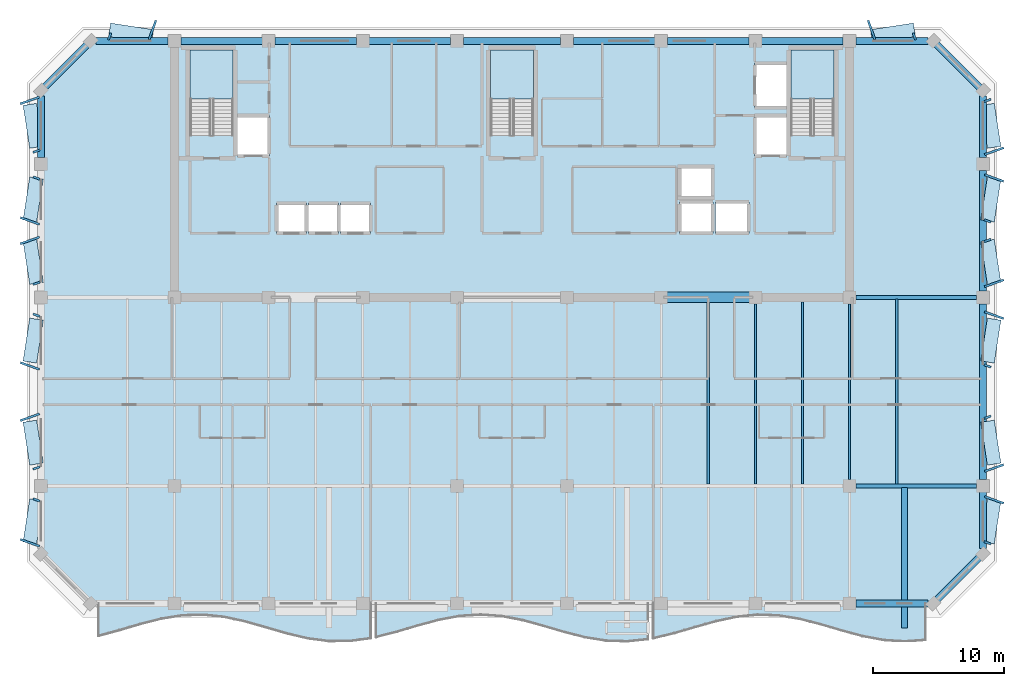
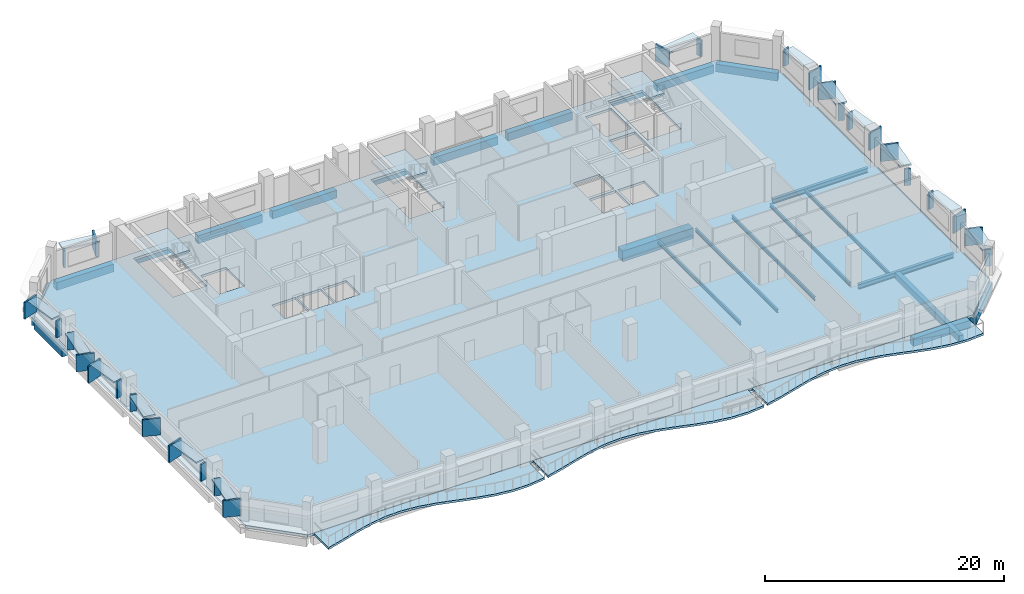
# One storey, part 2 of 11: 42 plates, 27 beams, 7 slabs, 3 elements without a shape of their own.
"""IFC4 building model written with IfcOpenShell, lengths in metres."""

from ifc_helpers import new_model, si_unit, direction, frame, origin, origin_2d, place, context, subcontext, project, spatial, polyline, rectangle, i_section, outline, extrude, material, layer, layer_set, material_profile, profile_set, type_object, element, aggregate, save


model = new_model("IFC4")

# Units and contexts
model_context = context("Model", 3, precision=1e-05, world=origin(), true_north=direction((0.0, 1.0)))
body_context = subcontext(model_context, "Body", "Model", "MODEL_VIEW")
ifc_project = project(units=[si_unit("LENGTHUNIT", "METRE"), si_unit("AREAUNIT", "SQUARE_METRE"), si_unit("VOLUMEUNIT", "CUBIC_METRE"), si_unit("PLANEANGLEUNIT", "RADIAN"), si_unit("MASSUNIT", "GRAM", prefix="KILO")], contexts=[model_context])

# Site, building, storey
site_placement = place(None, origin())
site = spatial("IfcSite", under=ifc_project, at=site_placement, CompositionType="ELEMENT")
building_placement = place(site_placement, origin())
building = spatial("IfcBuilding", under=site, at=building_placement, Name="Kaelvorn Grand Hotel", CompositionType="ELEMENT")
storey_placement = place(building_placement, frame((0.0, 0.0, 256.800048828125)))
storey = spatial("IfcBuildingStorey", under=building, at=storey_placement, Name="L63", CompositionType="ELEMENT", Elevation=256.800048828125)

# Beams
ifc_material_1 = material(Name="Steel S355", Category="steel")
ifc_material_profile_1 = material_profile(ifc_material_1, i_section(OverallWidth=0.300048828125, OverallDepth=0.5, WebThickness=0.014404296875, FlangeThickness=0.028076171875, FilletRadius=0.027099609375, at=origin_2d()), Name="HEB 500")
ifc_profile_set_1 = profile_set([ifc_material_profile_1], Name="Steel S355")
beam_type_1 = type_object("IfcBeamType", Name="BM-G-HEB500-S355", PredefinedType="BEAM", material=ifc_profile_set_1)
for number, where, z_axis, x_axis, name in (
    (1, (68.284912109375, 15.0, -0.489990234375), (1.0, 0.0, 0.0), (0.0, 1.0, 0.0), "L63 Primary Spine Steel Girder G-15 05"),
    (2, (68.284912109375, 29.39990234375, -0.489990234375), (1.0, 0.0, 0.0), (0.0, 1.0, 0.0), "L63 East Core Wing Steel Girder G-29E 01"),
):
    element("IfcBeam", number, at=place(storey_placement, frame(where, z_axis=z_axis, x_axis=x_axis)), inside=storey, type_object=beam_type_1, Name=name, PredefinedType="BEAM", context=body_context, shape_type="SweptSolid", body=[
        extrude(i_section(OverallWidth=0.300048828125, OverallDepth=0.5, WebThickness=0.014404296875, FlangeThickness=0.028076171875, FilletRadius=0.027099609375, at=origin_2d()), origin(), (0.0, 0.0, 1.0), 9.22998046875),
    ])
ifc_material_profile_2 = material_profile(ifc_material_1, i_section(OverallWidth=0.169921875, OverallDepth=0.360107421875, WebThickness=0.008056640625, FlangeThickness=0.0126953125, FilletRadius=0.01806640625, at=origin_2d()), Name="IPE 360")
ifc_profile_set_2 = profile_set([ifc_material_profile_2], Name="Steel S355")
beam_type_2 = type_object("IfcBeamType", Name="BM-J-IPE360-S355", PredefinedType="JOIST", material=ifc_profile_set_2)
beam_1_placement = place(storey_placement, frame((57.0, 15.135009765625, -0.420166015625), z_axis=(0.0, 1.0, 0.0), x_axis=(-1.0, 0.0, 0.0)))
element("IfcBeam", 3, at=beam_1_placement, inside=storey, type_object=beam_type_2, Name="L63 Composite Floor Joist JM-16", PredefinedType="JOIST", context=body_context, shape_type="SweptSolid", body=[
    extrude(i_section(OverallWidth=0.169921875, OverallDepth=0.360107421875, WebThickness=0.008056640625, FlangeThickness=0.0126953125, FilletRadius=0.01806640625, at=origin_2d()), origin(), (0.0, 0.0, 1.0), 13.925048828125),
])
beam_2_placement = place(storey_placement, frame((60.60009765625, 15.135009765625, -0.420166015625), z_axis=(0.0, 1.0, 0.0), x_axis=(-1.0, 0.0, 0.0)))
element("IfcBeam", 4, at=beam_2_placement, inside=storey, type_object=beam_type_2, Name="L63 Composite Floor Joist JM-17", PredefinedType="JOIST", context=body_context, shape_type="SweptSolid", body=[
    extrude(i_section(OverallWidth=0.169921875, OverallDepth=0.360107421875, WebThickness=0.008056640625, FlangeThickness=0.0126953125, FilletRadius=0.01806640625, at=origin_2d()), origin(), (0.0, 0.0, 1.0), 13.780029296875),
])
beam_3_placement = place(storey_placement, frame((64.199951171875, 15.135009765625, -0.420166015625), z_axis=(0.0, 1.0, 0.0), x_axis=(-1.0, 0.0, 0.0)))
element("IfcBeam", 5, at=beam_3_placement, inside=storey, type_object=beam_type_2, Name="L63 Composite Floor Joist JM-18", PredefinedType="JOIST", context=body_context, shape_type="SweptSolid", body=[
    extrude(i_section(OverallWidth=0.169921875, OverallDepth=0.360107421875, WebThickness=0.008056640625, FlangeThickness=0.0126953125, FilletRadius=0.01806640625, at=origin_2d()), origin(), (0.0, 0.0, 1.0), 13.925048828125),
])
beam_4_placement = place(storey_placement, frame((67.800048828125, 15.485107421875, -0.420166015625), z_axis=(0.0, 1.0, 0.0), x_axis=(-1.0, 0.0, 0.0)))
element("IfcBeam", 6, at=beam_4_placement, inside=storey, type_object=beam_type_2, Name="L63 Composite Floor Joist JM-19", PredefinedType="JOIST", context=body_context, shape_type="SweptSolid", body=[
    extrude(i_section(OverallWidth=0.169921875, OverallDepth=0.360107421875, WebThickness=0.008056640625, FlangeThickness=0.0126953125, FilletRadius=0.01806640625, at=origin_2d()), origin(), (0.0, 0.0, 1.0), 13.429931640625),
])
beam_5_placement = place(storey_placement, frame((71.39990234375, 15.135009765625, -0.420166015625), z_axis=(0.0, 1.0, 0.0), x_axis=(-1.0, 0.0, 0.0)))
element("IfcBeam", 7, at=beam_5_placement, inside=storey, type_object=beam_type_2, Name="L63 Composite Floor Joist JM-20", PredefinedType="JOIST", context=body_context, shape_type="SweptSolid", body=[
    extrude(i_section(OverallWidth=0.169921875, OverallDepth=0.360107421875, WebThickness=0.008056640625, FlangeThickness=0.0126953125, FilletRadius=0.01806640625, at=origin_2d()), origin(), (0.0, 0.0, 1.0), 14.1298828125),
])
ifc_material_2 = material(Name="Concrete C60/75", Category="concrete")
ifc_material_profile_3 = material_profile(ifc_material_2, rectangle(XDim=0.800048828125, YDim=1.10009765625, at=origin_2d()), Name="RC LINTEL 800x1100")
ifc_profile_set_3 = profile_set([ifc_material_profile_3], Name="Concrete C60/75")
beam_type_3 = type_object("IfcBeamType", Name="BM-LIN-800x1100-C60", PredefinedType="LINTEL", material=ifc_profile_set_3)
beam_6_placement = place(storey_placement, frame((53.580078125, 29.39990234375, -0.7900390625), z_axis=(1.0, 0.0, 0.0), x_axis=(0.0, 1.0, 0.0)))
element("IfcBeam", 8, at=beam_6_placement, inside=storey, type_object=beam_type_3, Name="L63 Rear-Core Coupling Lintel Beam CB1-03", PredefinedType="LINTEL", context=body_context, shape_type="SweptSolid", body=[
    extrude(rectangle(XDim=0.800048828125, YDim=1.10009765625, at=origin_2d()), origin(), (0.0, 0.0, 1.0), 6.83984375),
])
ifc_material_3 = material(Name="Concrete C40/50", Category="concrete")
ifc_material_profile_4 = material_profile(ifc_material_3, rectangle(XDim=0.449951171875, YDim=0.64990234375, at=origin_2d()), Name="RC RIB 450x650")
ifc_profile_set_4 = profile_set([ifc_material_profile_4], Name="Concrete C40/50")
beam_type_4 = type_object("IfcBeamType", Name="BM-RIB-450x650-C40", PredefinedType="SPANDREL", material=ifc_profile_set_4)
beam_7_placement = place(storey_placement, frame((72.0, 4.14990234375, -0.545166015625), z_axis=(0.0, 1.0, 0.0), x_axis=(-1.0, 0.0, 0.0)))
element("IfcBeam", 9, at=beam_7_placement, inside=storey, type_object=beam_type_4, Name="L63 Cantilevered Balcony Back-Span Rib RB1-3", PredefinedType="SPANDREL", context=body_context, shape_type="SweptSolid", body=[
    extrude(rectangle(XDim=0.449951171875, YDim=0.64990234375, at=origin_2d()), origin(), (0.0, 0.0, 1.0), 10.715087890625),
])
ifc_material_4 = material(Name="Concrete C50/60", Category="concrete")
ifc_material_profile_5 = material_profile(ifc_material_4, rectangle(XDim=0.550048828125, YDim=0.800048828125, at=origin_2d()), Name="RC SPANDREL 550x800")
ifc_profile_set_5 = profile_set([ifc_material_profile_5], Name="Concrete C50/60")
beam_type_5 = type_object("IfcBeamType", Name="BM-SP-550x800-C50", PredefinedType="SPANDREL", material=ifc_profile_set_5)
for number, where, z_axis, x_axis, name in (
    (10, (68.284912109375, 6.0, -0.64013671875), (1.0, 0.0, 0.0), (0.0, 1.0, 0.0), "L63 South Perimeter Spandrel 09"),
    (11, (10.205078125, 49.0, -0.64013671875), (1.0, 0.0, 0.0), (0.0, 1.0, 0.0), "L63 North Perimeter Spandrel 01"),
):
    element("IfcBeam", number, at=place(storey_placement, frame(where, z_axis=z_axis, x_axis=x_axis)), inside=storey, type_object=beam_type_5, Name=name, PredefinedType="SPANDREL", context=body_context, shape_type="SweptSolid", body=[
        extrude(rectangle(XDim=0.550048828125, YDim=0.800048828125, at=origin_2d()), origin(), (0.0, 0.0, 1.0), 5.510009765625),
    ])
for number, where, z_axis, x_axis, name in (
    (12, (16.68505859375, 49.0, -0.64013671875), (1.0, 0.0, 0.0), (0.0, 1.0, 0.0), "L63 North Perimeter Spandrel 02"),
    (13, (23.885009765625, 49.0, -0.64013671875), (1.0, 0.0, 0.0), (0.0, 1.0, 0.0), "L63 North Perimeter Spandrel 03"),
    (14, (31.0849609375, 49.0, -0.64013671875), (1.0, 0.0, 0.0), (0.0, 1.0, 0.0), "L63 North Perimeter Spandrel 04"),
):
    element("IfcBeam", number, at=place(storey_placement, frame(where, z_axis=z_axis, x_axis=x_axis)), inside=storey, type_object=beam_type_5, Name=name, PredefinedType="SPANDREL", context=body_context, shape_type="SweptSolid", body=[
        extrude(rectangle(XDim=0.550048828125, YDim=0.800048828125, at=origin_2d()), origin(), (0.0, 0.0, 1.0), 6.22998046875),
    ])
beam_8_placement = place(storey_placement, frame((38.284912109375, 49.0, -0.64013671875), z_axis=(1.0, 0.0, 0.0), x_axis=(0.0, 1.0, 0.0)))
element("IfcBeam", 15, at=beam_8_placement, inside=storey, type_object=beam_type_5, Name="L63 North Perimeter Spandrel 05", PredefinedType="SPANDREL", context=body_context, shape_type="SweptSolid", body=[
    extrude(rectangle(XDim=0.550048828125, YDim=0.800048828125, at=origin_2d()), origin(), (0.0, 0.0, 1.0), 7.43017578125),
])
for number, where, z_axis, x_axis, name in (
    (16, (46.68505859375, 49.0, -0.64013671875), (1.0, 0.0, 0.0), (0.0, 1.0, 0.0), "L63 North Perimeter Spandrel 06"),
    (17, (53.885009765625, 49.0, -0.64013671875), (1.0, 0.0, 0.0), (0.0, 1.0, 0.0), "L63 North Perimeter Spandrel 07"),
    (18, (61.0849609375, 49.0, -0.64013671875), (1.0, 0.0, 0.0), (0.0, 1.0, 0.0), "L63 North Perimeter Spandrel 08"),
):
    element("IfcBeam", number, at=place(storey_placement, frame(where, z_axis=z_axis, x_axis=x_axis)), inside=storey, type_object=beam_type_5, Name=name, PredefinedType="SPANDREL", context=body_context, shape_type="SweptSolid", body=[
        extrude(rectangle(XDim=0.550048828125, YDim=0.800048828125, at=origin_2d()), origin(), (0.0, 0.0, 1.0), 6.22998046875),
    ])
beam_9_placement = place(storey_placement, frame((68.284912109375, 49.0, -0.64013671875), z_axis=(1.0, 0.0, 0.0), x_axis=(0.0, 1.0, 0.0)))
element("IfcBeam", 19, at=beam_9_placement, inside=storey, type_object=beam_type_5, Name="L63 North Perimeter Spandrel 09", PredefinedType="SPANDREL", context=body_context, shape_type="SweptSolid", body=[
    extrude(rectangle(XDim=0.550048828125, YDim=0.800048828125, at=origin_2d()), origin(), (0.0, 0.0, 1.0), 5.510009765625),
])
beam_10_placement = place(storey_placement, frame((6.0, 40.0849609375, -0.64013671875), z_axis=(0.0, 1.0, 0.0), x_axis=(-1.0, 0.0, 0.0)))
element("IfcBeam", 20, at=beam_10_placement, inside=storey, type_object=beam_type_5, Name="L63 West Perimeter Spandrel 04", PredefinedType="SPANDREL", context=body_context, shape_type="SweptSolid", body=[
    extrude(rectangle(XDim=0.550048828125, YDim=0.800048828125, at=origin_2d()), origin(), (0.0, 0.0, 1.0), 4.7099609375),
])
beam_11_placement = place(storey_placement, frame((78.0, 10.205078125, -0.64013671875), z_axis=(0.0, 1.0, 0.0), x_axis=(-1.0, 0.0, 0.0)))
element("IfcBeam", 21, at=beam_11_placement, inside=storey, type_object=beam_type_5, Name="L63 East Perimeter Spandrel 01", PredefinedType="SPANDREL", context=body_context, shape_type="SweptSolid", body=[
    extrude(rectangle(XDim=0.550048828125, YDim=0.800048828125, at=origin_2d()), origin(), (0.0, 0.0, 1.0), 4.309814453125),
])
beam_12_placement = place(storey_placement, frame((78.0, 15.485107421875, -0.64013671875), z_axis=(0.0, 1.0, 0.0), x_axis=(-1.0, 0.0, 0.0)))
element("IfcBeam", 22, at=beam_12_placement, inside=storey, type_object=beam_type_5, Name="L63 East Perimeter Spandrel 02", PredefinedType="SPANDREL", context=body_context, shape_type="SweptSolid", body=[
    extrude(rectangle(XDim=0.550048828125, YDim=0.800048828125, at=origin_2d()), origin(), (0.0, 0.0, 1.0), 13.429931640625),
])
beam_13_placement = place(storey_placement, frame((78.0, 29.885009765625, -0.64013671875), z_axis=(0.0, 1.0, 0.0), x_axis=(-1.0, 0.0, 0.0)))
element("IfcBeam", 23, at=beam_13_placement, inside=storey, type_object=beam_type_5, Name="L63 East Perimeter Spandrel 03", PredefinedType="SPANDREL", context=body_context, shape_type="SweptSolid", body=[
    extrude(rectangle(XDim=0.550048828125, YDim=0.800048828125, at=origin_2d()), origin(), (0.0, 0.0, 1.0), 9.22998046875),
])
beam_14_placement = place(storey_placement, frame((78.0, 40.0849609375, -0.64013671875), z_axis=(0.0, 1.0, 0.0), x_axis=(-1.0, 0.0, 0.0)))
element("IfcBeam", 24, at=beam_14_placement, inside=storey, type_object=beam_type_5, Name="L63 East Perimeter Spandrel 04", PredefinedType="SPANDREL", context=body_context, shape_type="SweptSolid", body=[
    extrude(rectangle(XDim=0.550048828125, YDim=0.800048828125, at=origin_2d()), origin(), (0.0, 0.0, 1.0), 4.7099609375),
])
for number, where, z_axis, x_axis, name in (
    (25, (74.199951171875, 6.0, -0.64013671875), (0.707106781187, 0.707106781187, 0.0), (-0.707106781187, 0.707106781187, 0.0), "L63 Chamfer Spandrel Beam 1"),
    (26, (78.0, 45.199951171875, -0.64013671875), (-0.707106781187, 0.707106781187, 0.0), (-0.707106781187, -0.707106781187, 0.0), "L63 Chamfer Spandrel Beam 2"),
    (27, (9.800048828125, 49.0, -0.64013671875), (-0.707106781187, -0.707106781187, 0.0), (0.707106781187, -0.707106781187, 0.0), "L63 Chamfer Spandrel Beam 3"),
):
    element("IfcBeam", number, at=place(storey_placement, frame(where, z_axis=z_axis, x_axis=x_axis)), inside=storey, type_object=beam_type_5, Name=name, PredefinedType="SPANDREL", context=body_context, shape_type="SweptSolid", body=[
        extrude(rectangle(XDim=0.550048828125, YDim=0.800048828125, at=origin_2d()), origin(), (0.0, 0.0, 1.0), 5.3740234375),
    ])

# Plates
ifc_material_5 = material(Name="Precast concrete C45/55", Category="concrete")
ifc_layer_1 = layer(ifc_material_5, 0.159912109375)
ifc_layer_set_1 = layer_set([ifc_layer_1], Name="Precast concrete C45/55")
plate_type_1 = type_object("IfcPlateType", Name="PL-FRAME-DEEP-1550", PredefinedType="USERDEFINED", material=ifc_layer_set_1)
for number, where, z_axis, x_axis, name in (
    (28, (78.844970703125, 13.925048828125, 0.73974609375), (0.0, 0.0, 1.0), (0.333806859234, 0.942641491092, 0.0), "L63 Tilted Precast Window Frame Fin R-E01"),
    (29, (78.844970703125, 16.360107421875, 0.81494140625), (0.0, 0.0, 1.0), (-0.333806859234, 0.942641491092, 0.0), "L63 Tilted Precast Window Frame Fin L-E02"),
    (30, (78.844970703125, 28.0400390625, 0.81494140625), (0.0, 0.0, 1.0), (0.333806859234, 0.942641491092, 0.0), "L63 Tilted Precast Window Frame Fin R-E03"),
    (31, (78.844970703125, 30.47509765625, 0.73974609375), (0.0, 0.0, 1.0), (-0.333806859234, 0.942641491092, 0.0), "L63 Tilted Precast Window Frame Fin L-E04"),
    (32, (78.844970703125, 38.52490234375, 0.73974609375), (0.0, 0.0, 1.0), (0.333806859234, 0.942641491092, 0.0), "L63 Tilted Precast Window Frame Fin R-E05"),
    (33, (78.844970703125, 40.574951171875, 0.81494140625), (0.0, 0.0, 1.0), (-0.333806859234, 0.942641491092, 0.0), "L63 Tilted Precast Window Frame Fin L-E06"),
    (34, (5.155029296875, 10.64501953125, 0.73974609375), (0.0, 0.0, 1.0), (0.333806859234, 0.942641491092, 0.0), "L63 Tilted Precast Window Frame Fin L-W01"),
    (35, (5.155029296875, 20.239990234375, 0.81494140625), (0.0, 0.0, 1.0), (-0.333806859234, 0.942641491092, 0.0), "L63 Tilted Precast Window Frame Fin R-W02"),
    (36, (5.155029296875, 24.159912109375, 0.81494140625), (0.0, 0.0, 1.0), (0.333806859234, 0.942641491092, 0.0), "L63 Tilted Precast Window Frame Fin L-W03"),
    (37, (5.155029296875, 33.7548828125, 0.73974609375), (0.0, 0.0, 1.0), (-0.333806859234, 0.942641491092, 0.0), "L63 Tilted Precast Window Frame Fin R-W04"),
    (38, (5.155029296875, 35.2451171875, 0.73974609375), (0.0, 0.0, 1.0), (0.333806859234, 0.942641491092, 0.0), "L63 Tilted Precast Window Frame Fin L-W05"),
    (39, (5.155029296875, 44.455078125, 0.81494140625), (0.0, 0.0, 1.0), (-0.333806859234, 0.942641491092, 0.0), "L63 Tilted Precast Window Frame Fin R-W06"),
    (40, (14.52490234375, 49.844970703125, 0.73974609375), (0.0, 0.0, 1.0), (0.942641491092, -0.333806859234, 0.0), "L63 Tilted Precast Window Frame Fin R-N01"),
    (41, (69.47509765625, 49.844970703125, 0.73974609375), (0.0, 0.0, 1.0), (0.942641491092, 0.333806859234, 0.0), "L63 Tilted Precast Window Frame Fin L-N02"),
):
    element("IfcPlate", number, at=place(storey_placement, frame(where, z_axis=z_axis, x_axis=x_axis)), inside=storey, type_object=plate_type_1, Name=name, ObjectType="FLANGE_PLATE", PredefinedType="USERDEFINED", context=body_context, shape_type="SweptSolid", body=[
        extrude(rectangle(XDim=0.159912109375, YDim=1.550048828125, at=origin_2d()), origin(), (0.0, 0.0, 1.0), 1.719970703125),
    ])
ifc_layer_2 = layer(ifc_material_5, 0.159912109375)
ifc_layer_set_2 = layer_set([ifc_layer_2], Name="Precast concrete C45/55")
plate_type_2 = type_object("IfcPlateType", Name="PL-FRAME-HEAD-1050", PredefinedType="USERDEFINED", material=ifc_layer_set_2)
for number, where, z_axis, x_axis, name in (
    (42, (78.594970703125, 12.284912109375, 2.35009765625), (0.0, 0.0, 1.0), (0.152554625759, 0.988295040036, 0.0), "L63 Precast Window Frame Head Hood H-E01"),
    (43, (78.594970703125, 18.300048828125, 2.5), (0.0, 0.0, 1.0), (-0.152554625759, 0.988295040036, 0.0), "L63 Precast Window Frame Head Hood H-E02"),
    (44, (78.594970703125, 26.10009765625, 2.5), (0.0, 0.0, 1.0), (0.152554625759, 0.988295040036, 0.0), "L63 Precast Window Frame Head Hood H-E03"),
    (45, (78.594970703125, 32.114990234375, 2.35009765625), (0.0, 0.0, 1.0), (-0.152554625759, 0.988295040036, 0.0), "L63 Precast Window Frame Head Hood H-E04"),
    (46, (78.594970703125, 36.885009765625, 2.35009765625), (0.0, 0.0, 1.0), (0.152554625759, 0.988295040036, 0.0), "L63 Precast Window Frame Head Hood H-E05"),
    (47, (78.594970703125, 42.514892578125, 2.5), (0.0, 0.0, 1.0), (-0.152554625759, 0.988295040036, 0.0), "L63 Precast Window Frame Head Hood H-E06"),
    (48, (5.405029296875, 12.284912109375, 2.35009765625), (0.0, 0.0, 1.0), (0.152554625759, 0.988295040036, 0.0), "L63 Precast Window Frame Head Hood H-W01"),
    (49, (5.405029296875, 18.300048828125, 2.5), (0.0, 0.0, 1.0), (-0.152554625759, 0.988295040036, 0.0), "L63 Precast Window Frame Head Hood H-W02"),
    (50, (5.405029296875, 26.10009765625, 2.5), (0.0, 0.0, 1.0), (0.152554625759, 0.988295040036, 0.0), "L63 Precast Window Frame Head Hood H-W03"),
    (51, (5.405029296875, 32.114990234375, 2.35009765625), (0.0, 0.0, 1.0), (-0.152554625759, 0.988295040036, 0.0), "L63 Precast Window Frame Head Hood H-W04"),
    (52, (5.405029296875, 36.885009765625, 2.35009765625), (0.0, 0.0, 1.0), (0.152554625759, 0.988295040036, 0.0), "L63 Precast Window Frame Head Hood H-W05"),
    (53, (5.405029296875, 42.514892578125, 2.5), (0.0, 0.0, 1.0), (-0.152554625759, 0.988295040036, 0.0), "L63 Precast Window Frame Head Hood H-W06"),
    (54, (12.885009765625, 49.594970703125, 2.35009765625), (0.0, 0.0, 1.0), (0.988295040036, -0.152554625759, 0.0), "L63 Precast Window Frame Head Hood H-N01"),
    (55, (71.114990234375, 49.594970703125, 2.35009765625), (0.0, 0.0, 1.0), (0.988295040036, 0.152554625759, 0.0), "L63 Precast Window Frame Head Hood H-N02"),
):
    element("IfcPlate", number, at=place(storey_placement, frame(where, z_axis=z_axis, x_axis=x_axis)), inside=storey, type_object=plate_type_2, Name=name, ObjectType="FLANGE_PLATE", PredefinedType="USERDEFINED", context=body_context, shape_type="SweptSolid", body=[
        extrude(rectangle(XDim=3.320068359375, YDim=1.050048828125, at=origin_2d()), origin(), (0.0, 0.0, 1.0), 0.159912109375),
    ])
ifc_layer_3 = layer(ifc_material_5, 0.159912109375)
ifc_layer_set_3 = layer_set([ifc_layer_3], Name="Precast concrete C45/55")
plate_type_3 = type_object("IfcPlateType", Name="PL-FRAME-SHAL-550", PredefinedType="USERDEFINED", material=ifc_layer_set_3)
for number, where, z_axis, x_axis, name in (
    (56, (78.344970703125, 10.64501953125, 0.73974609375), (0.0, 0.0, 1.0), (0.333806859234, 0.942641491092, 0.0), "L63 Tilted Precast Window Frame Fin L-E01"),
    (57, (78.344970703125, 20.239990234375, 0.81494140625), (0.0, 0.0, 1.0), (-0.333806859234, 0.942641491092, 0.0), "L63 Tilted Precast Window Frame Fin R-E02"),
    (58, (78.344970703125, 24.159912109375, 0.81494140625), (0.0, 0.0, 1.0), (0.333806859234, 0.942641491092, 0.0), "L63 Tilted Precast Window Frame Fin L-E03"),
    (59, (78.344970703125, 33.7548828125, 0.73974609375), (0.0, 0.0, 1.0), (-0.333806859234, 0.942641491092, 0.0), "L63 Tilted Precast Window Frame Fin R-E04"),
    (60, (78.344970703125, 35.2451171875, 0.73974609375), (0.0, 0.0, 1.0), (0.333806859234, 0.942641491092, 0.0), "L63 Tilted Precast Window Frame Fin L-E05"),
    (61, (78.344970703125, 44.455078125, 0.81494140625), (0.0, 0.0, 1.0), (-0.333806859234, 0.942641491092, 0.0), "L63 Tilted Precast Window Frame Fin R-E06"),
    (62, (5.655029296875, 13.925048828125, 0.73974609375), (0.0, 0.0, 1.0), (0.333806859234, 0.942641491092, 0.0), "L63 Tilted Precast Window Frame Fin R-W01"),
    (63, (5.655029296875, 16.360107421875, 0.81494140625), (0.0, 0.0, 1.0), (-0.333806859234, 0.942641491092, 0.0), "L63 Tilted Precast Window Frame Fin L-W02"),
    (64, (5.655029296875, 28.0400390625, 0.81494140625), (0.0, 0.0, 1.0), (0.333806859234, 0.942641491092, 0.0), "L63 Tilted Precast Window Frame Fin R-W03"),
    (65, (5.655029296875, 30.47509765625, 0.73974609375), (0.0, 0.0, 1.0), (-0.333806859234, 0.942641491092, 0.0), "L63 Tilted Precast Window Frame Fin L-W04"),
    (66, (5.655029296875, 38.52490234375, 0.73974609375), (0.0, 0.0, 1.0), (0.333806859234, 0.942641491092, 0.0), "L63 Tilted Precast Window Frame Fin R-W05"),
    (67, (5.655029296875, 40.574951171875, 0.81494140625), (0.0, 0.0, 1.0), (-0.333806859234, 0.942641491092, 0.0), "L63 Tilted Precast Window Frame Fin L-W06"),
    (68, (11.2451171875, 49.344970703125, 0.73974609375), (0.0, 0.0, 1.0), (0.942641491092, -0.333806859234, 0.0), "L63 Tilted Precast Window Frame Fin L-N01"),
    (69, (72.7548828125, 49.344970703125, 0.73974609375), (0.0, 0.0, 1.0), (0.942641491092, 0.333806859234, 0.0), "L63 Tilted Precast Window Frame Fin R-N02"),
):
    element("IfcPlate", number, at=place(storey_placement, frame(where, z_axis=z_axis, x_axis=x_axis)), inside=storey, type_object=plate_type_3, Name=name, ObjectType="FLANGE_PLATE", PredefinedType="USERDEFINED", context=body_context, shape_type="SweptSolid", body=[
        extrude(rectangle(XDim=0.159912109375, YDim=0.550048828125, at=origin_2d()), origin(), (0.0, 0.0, 1.0), 1.719970703125),
    ])

# Slabs
ifc_layer_4 = layer(ifc_material_3, 0.219970703125)
ifc_layer_set_4 = layer_set([ifc_layer_4], Name="Concrete C40/50")
slab_type_1 = type_object("IfcSlabType", Name="SLB-BALC-220-C40", PredefinedType="FLOOR", material=ifc_layer_set_4)
slab_1_placement = place(storey_placement, frame((0.0, 0.0, -0.219970703125)))
element("IfcSlab", 70, at=slab_1_placement, inside=storey, type_object=slab_type_1, Name="L63 Scalloped Wave Balcony Slab 1", PredefinedType="FLOOR", context=body_context, shape_type="SweptSolid", body=[
    extrude(outline(polyline([(10.39990234375, 3.5224609375), (12.0, 3.958740234375), (13.60009765625, 4.430419921875), (15.199951171875, 4.8369140625), (16.800048828125, 5.09228515625), (18.39990234375, 5.1416015625), (20.0, 4.974853515625), (21.60009765625, 4.627197265625), (23.199951171875, 4.172607421875), (24.800048828125, 3.7080078125), (26.39990234375, 3.332275390625), (28.0, 3.125), (29.60009765625, 3.13037109375), (31.199951171875, 3.347412109375), (31.199951171875, 6.0), (10.39990234375, 6.0), (10.39990234375, 3.5224609375)])), origin(), (0.0, 0.0, 1.0), 0.219970703125),
])
slab_2_placement = place(storey_placement, frame((0.0, 0.0, -0.219970703125)))
element("IfcSlab", 71, at=slab_2_placement, inside=storey, type_object=slab_type_1, Name="L63 Scalloped Wave Balcony Slab 2", PredefinedType="FLOOR", context=body_context, shape_type="SweptSolid", body=[
    extrude(outline(polyline([(31.60009765625, 3.430419921875), (33.199951171875, 3.842529296875), (34.800048828125, 4.314697265625), (36.39990234375, 4.74658203125), (38.0, 5.046142578125), (39.60009765625, 5.14990234375), (41.199951171875, 5.03564453125), (42.800048828125, 4.7275390625), (44.39990234375, 4.291259765625), (46.0, 3.819580078125), (47.60009765625, 3.4130859375), (49.199951171875, 3.15771484375), (50.800048828125, 3.1083984375), (52.39990234375, 3.275146484375), (52.39990234375, 6.0), (31.60009765625, 6.0), (31.60009765625, 3.430419921875)])), origin(), (0.0, 0.0, 1.0), 0.219970703125),
])
slab_3_placement = place(storey_placement, frame((0.0, 0.0, -0.219970703125)))
element("IfcSlab", 72, at=slab_3_placement, inside=storey, type_object=slab_type_1, Name="L63 Scalloped Wave Balcony Slab 3", PredefinedType="FLOOR", context=body_context, shape_type="SweptSolid", body=[
    extrude(outline(polyline([(52.800048828125, 3.347412109375), (54.39990234375, 3.72998046875), (56.0, 4.196533203125), (57.60009765625, 4.647705078125), (59.199951171875, 4.98779296875), (60.800048828125, 5.144287109375), (62.39990234375, 5.083984375), (64.0, 4.819580078125), (65.60009765625, 4.407470703125), (67.199951171875, 3.935302734375), (68.800048828125, 3.50341796875), (70.39990234375, 3.203857421875), (72.0, 3.10009765625), (73.60009765625, 3.21435546875), (73.60009765625, 6.0), (52.800048828125, 6.0), (52.800048828125, 3.347412109375)])), origin(), (0.0, 0.0, 1.0), 0.219970703125),
])
ifc_layer_5 = layer(ifc_material_3, 0.239990234375)
ifc_layer_set_5 = layer_set([ifc_layer_5], Name="Concrete C40/50")
slab_type_2 = type_object("IfcSlabType", Name="SLB-FLR-240-C40", PredefinedType="FLOOR", material=ifc_layer_set_5)
slab_4_placement = place(storey_placement, frame((0.0, 0.0, -0.239990234375)))
element("IfcSlab", 73, at=slab_4_placement, inside=storey, type_object=slab_type_2, Name="L63 Indoor Suspended Floor Slab", PredefinedType="FLOOR", context=body_context, shape_type="SweptSolid", body=[
    extrude(outline(polyline([(9.800048828125, 6.0), (74.199951171875, 6.0), (78.0, 9.800048828125), (78.0, 45.199951171875), (74.199951171875, 49.0), (9.800048828125, 49.0), (6.0, 45.199951171875), (6.0, 9.800048828125), (9.800048828125, 6.0)]), holes=[polyline([(17.39990234375, 41.760009765625), (17.39990234375, 48.300048828125), (20.679931640625, 48.300048828125), (20.679931640625, 41.760009765625), (17.39990234375, 41.760009765625)]), polyline([(40.360107421875, 41.760009765625), (40.360107421875, 48.300048828125), (43.639892578125, 48.300048828125), (43.639892578125, 41.760009765625), (40.360107421875, 41.760009765625)]), polyline([(63.320068359375, 41.760009765625), (63.320068359375, 48.300048828125), (66.60009765625, 48.300048828125), (66.60009765625, 41.760009765625), (63.320068359375, 41.760009765625)]), polyline([(24.0, 34.300048828125), (24.0, 36.60009765625), (26.300048828125, 36.60009765625), (26.300048828125, 34.300048828125), (24.0, 34.300048828125)]), polyline([(26.449951171875, 34.300048828125), (26.449951171875, 36.60009765625), (28.75, 36.60009765625), (28.75, 34.300048828125), (26.449951171875, 34.300048828125)]), polyline([(28.89990234375, 34.300048828125), (28.89990234375, 36.60009765625), (31.199951171875, 36.60009765625), (31.199951171875, 34.300048828125), (28.89990234375, 34.300048828125)]), polyline([(54.800048828125, 34.300048828125), (54.800048828125, 36.699951171875), (57.35009765625, 36.699951171875), (57.35009765625, 34.300048828125), (54.800048828125, 34.300048828125)]), polyline([(57.550048828125, 34.300048828125), (57.550048828125, 36.699951171875), (60.10009765625, 36.699951171875), (60.10009765625, 34.300048828125), (57.550048828125, 34.300048828125)]), polyline([(54.800048828125, 37.0), (54.800048828125, 39.39990234375), (57.35009765625, 39.39990234375), (57.35009765625, 37.0), (54.800048828125, 37.0)]), polyline([(21.0, 40.199951171875), (21.0, 43.300048828125), (23.449951171875, 43.300048828125), (23.449951171875, 40.199951171875), (21.0, 40.199951171875)]), polyline([(60.550048828125, 40.199951171875), (60.550048828125, 43.300048828125), (63.0, 43.300048828125), (63.0, 40.199951171875), (60.550048828125, 40.199951171875)]), polyline([(60.550048828125, 43.89990234375), (60.550048828125, 47.300048828125), (63.0, 47.300048828125), (63.0, 43.89990234375), (60.550048828125, 43.89990234375)])]), origin(), (0.0, 0.0, 1.0), 0.239990234375),
])

# Stair, slab
stair_type = type_object("IfcStairType", Name="STR-DOG-1560-R09", PredefinedType="HALF_TURN_STAIR", material=ifc_material_3)
stair_1_placement = place(storey_placement, origin())
stair_1 = element("IfcStair", 74, at=stair_1_placement, inside=storey, type_object=stair_type, Name="L63 West Core Exit Stair ST1", PredefinedType="HALF_TURN_STAIR")
ifc_layer_6 = layer(ifc_material_3, 0.199951171875)
ifc_layer_set_6 = layer_set([ifc_layer_6], Name="Concrete C40/50")
slab_type_3 = type_object("IfcSlabType", Name="SLB-LAND-200-C40", PredefinedType="LANDING", material=ifc_layer_set_6)
slab_5_placement = place(storey_placement, frame((0.0, 0.0, 1.77490234375)))
slab_5 = element("IfcSlab", 75, at=slab_5_placement, type_object=slab_type_3, Name="ST1 landing 1", PredefinedType="LANDING", context=body_context, shape_type="SweptSolid", body=[
    extrude(outline(polyline([(20.679931640625, 44.56005859375), (20.679931640625, 48.300048828125), (17.39990234375, 48.300048828125), (17.39990234375, 44.56005859375), (20.679931640625, 44.56005859375)])), origin(), (0.0, 0.0, 1.0), 0.199951171875),
])
aggregate(stair_1, [slab_5])

stair_2_placement = place(storey_placement, origin())
stair_2 = element("IfcStair", 76, at=stair_2_placement, inside=storey, type_object=stair_type, Name="L63 Central Core Exit Stair ST2", PredefinedType="HALF_TURN_STAIR")
slab_6_placement = place(storey_placement, frame((0.0, 0.0, 1.77490234375)))
slab_6 = element("IfcSlab", 77, at=slab_6_placement, type_object=slab_type_3, Name="ST2 landing 1", PredefinedType="LANDING", context=body_context, shape_type="SweptSolid", body=[
    extrude(outline(polyline([(43.639892578125, 44.56005859375), (43.639892578125, 48.300048828125), (40.360107421875, 48.300048828125), (40.360107421875, 44.56005859375), (43.639892578125, 44.56005859375)])), origin(), (0.0, 0.0, 1.0), 0.199951171875),
])
aggregate(stair_2, [slab_6])

stair_3_placement = place(storey_placement, origin())
stair_3 = element("IfcStair", 78, at=stair_3_placement, inside=storey, type_object=stair_type, Name="L63 East Core Exit Stair ST3", PredefinedType="HALF_TURN_STAIR")
slab_7_placement = place(storey_placement, frame((0.0, 0.0, 1.77490234375)))
slab_7 = element("IfcSlab", 79, at=slab_7_placement, type_object=slab_type_3, Name="ST3 landing 1", PredefinedType="LANDING", context=body_context, shape_type="SweptSolid", body=[
    extrude(outline(polyline([(66.60009765625, 44.56005859375), (66.60009765625, 48.300048828125), (63.320068359375, 48.300048828125), (63.320068359375, 44.56005859375), (66.60009765625, 44.56005859375)])), origin(), (0.0, 0.0, 1.0), 0.199951171875),
])
aggregate(stair_3, [slab_7])

save(model, "model.ifc")
